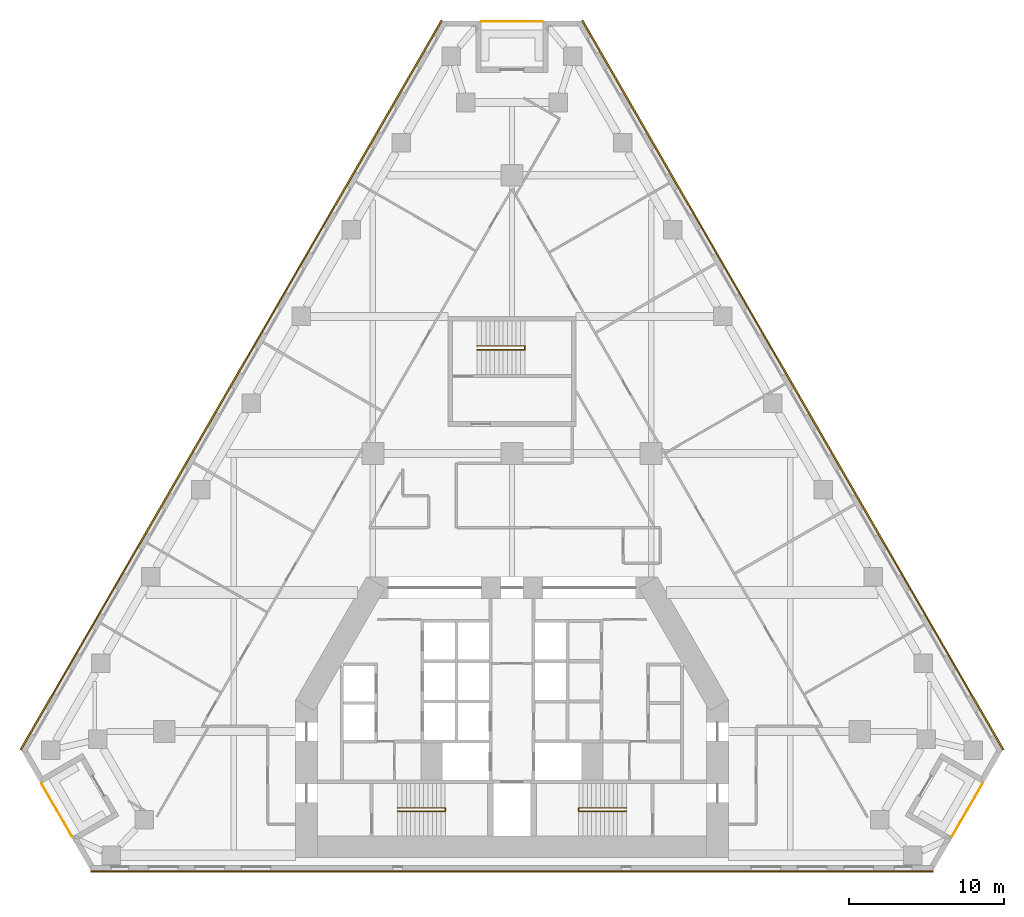
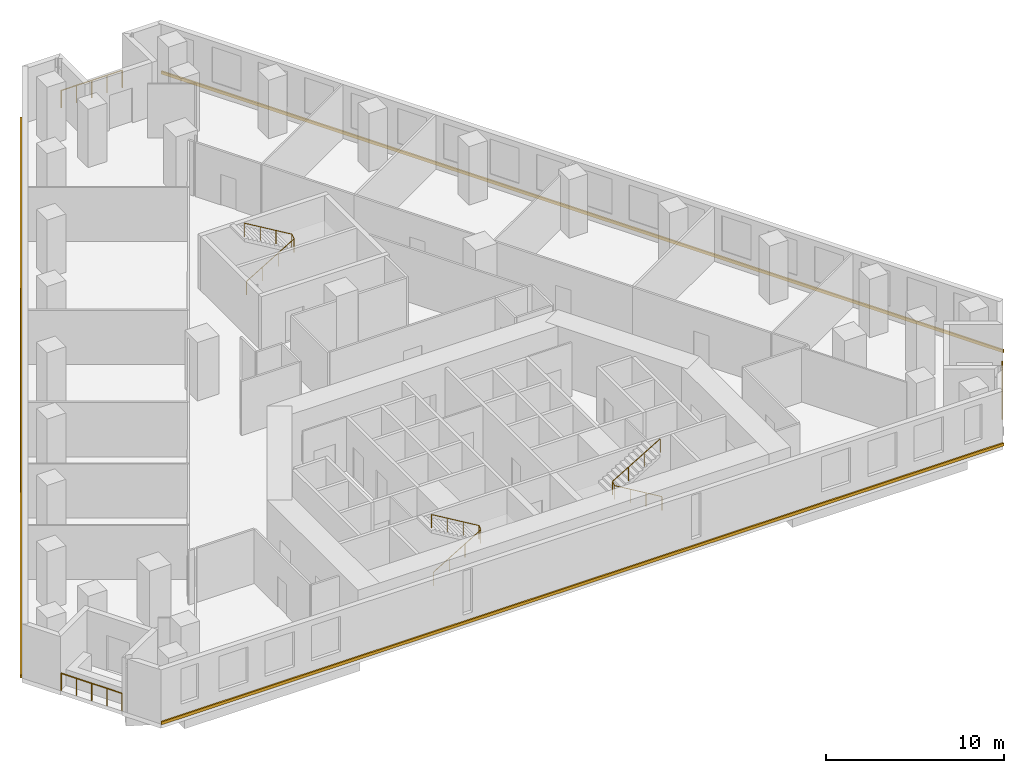
# One storey, part 11 of 11: 6 railings, 3 coverings.
"""IFC4 building model written with IfcOpenShell, lengths in metres."""

from ifc_helpers import new_model, si_unit, direction, frame, origin, origin_2d, place, context, subcontext, project, spatial, polyline, circle, outline, extrude, material, type_object, element, save


model = new_model("IFC4")

# Units and contexts
model_context = context("Model", 3, precision=1e-05, world=origin(), true_north=direction((0.0, 1.0)))
body_context = subcontext(model_context, "Body", "Model", "MODEL_VIEW")
ifc_project = project(units=[si_unit("LENGTHUNIT", "METRE"), si_unit("AREAUNIT", "SQUARE_METRE"), si_unit("VOLUMEUNIT", "CUBIC_METRE"), si_unit("PLANEANGLEUNIT", "RADIAN"), si_unit("MASSUNIT", "GRAM", prefix="KILO")], contexts=[model_context])

# Site, building, storey
site_placement = place(None, origin())
site = spatial("IfcSite", under=ifc_project, at=site_placement, CompositionType="ELEMENT")
building_placement = place(site_placement, origin())
building = spatial("IfcBuilding", under=site, at=building_placement, Name="Fogline Exchange Tower", CompositionType="ELEMENT")
storey_placement = place(building_placement, frame((0.0, 0.0, 52.89990234375)))
storey = spatial("IfcBuildingStorey", under=building, at=storey_placement, Name="L10", CompositionType="ELEMENT", Elevation=52.89990234375)

# Railings
ifc_material_1 = material(Name="Stainless steel 304", Category="steel")
railing_type_1 = type_object("IfcRailingType", Name="G1", PredefinedType="GUARDRAIL", material=ifc_material_1)
railing_1_placement = place(storey_placement, frame((-30.451416015625, 5.635986328125, 0.0)))
element("IfcRailing", 1, at=railing_1_placement, inside=storey, type_object=railing_type_1, Name="Balcony guard L10 SW", PredefinedType="GUARDRAIL", context=body_context, shape_type="SweptSolid", body=[
    extrude(circle(Radius=0.02392578125, at=origin_2d()), frame((0.0, 0.0, 1.17578125), z_axis=(0.500000102728, -0.866025344474, 0.0), x_axis=(0.866025344474, 0.500000102728, 0.0)), (0.0, 0.0, 1.0), 3.9580078125),
    extrude(circle(Radius=0.02099609375, at=origin_2d()), origin(), (0.0, 0.0, 1.0), 1.15185546875),
    extrude(circle(Radius=0.02099609375, at=origin_2d()), frame((0.49462890625, -0.85693359375, 0.0)), (0.0, 0.0, 1.0), 1.15185546875),
    extrude(circle(Radius=0.02099609375, at=origin_2d()), frame((0.989501953125, -1.7138671875, 0.0)), (0.0, 0.0, 1.0), 1.15185546875),
    extrude(circle(Radius=0.02099609375, at=origin_2d()), frame((1.484375, -2.57080078125, 0.0)), (0.0, 0.0, 1.0), 1.15185546875),
    extrude(circle(Radius=0.02099609375, at=origin_2d()), frame((1.97900390625, -3.427734375, 0.0)), (0.0, 0.0, 1.0), 1.15185546875),
])
railing_2_placement = place(storey_placement, frame((28.472412109375, 2.208251953125, 0.0)))
element("IfcRailing", 2, at=railing_2_placement, inside=storey, type_object=railing_type_1, Name="Balcony guard L10 SE", PredefinedType="GUARDRAIL", context=body_context, shape_type="SweptSolid", body=[
    extrude(circle(Radius=0.02392578125, at=origin_2d()), frame((0.0, 0.0, 1.17578125), z_axis=(0.500000102728, 0.866025344474, 0.0), x_axis=(-0.866025344474, 0.500000102728, 0.0)), (0.0, 0.0, 1.0), 3.9580078125),
    extrude(circle(Radius=0.02099609375, at=origin_2d()), origin(), (0.0, 0.0, 1.0), 1.15185546875),
    extrude(circle(Radius=0.02099609375, at=origin_2d()), frame((0.49462890625, 0.85693359375, 0.0)), (0.0, 0.0, 1.0), 1.15185546875),
    extrude(circle(Radius=0.02099609375, at=origin_2d()), frame((0.989501953125, 1.7138671875, 0.0)), (0.0, 0.0, 1.0), 1.15185546875),
    extrude(circle(Radius=0.02099609375, at=origin_2d()), frame((1.484375, 2.57080078125, 0.0)), (0.0, 0.0, 1.0), 1.15185546875),
    extrude(circle(Radius=0.02099609375, at=origin_2d()), frame((1.97900390625, 3.427734375, 0.0)), (0.0, 0.0, 1.0), 1.15185546875),
])
railing_3_placement = place(storey_placement, frame((1.97900390625, 54.95166015625, 0.0)))
element("IfcRailing", 3, at=railing_3_placement, inside=storey, type_object=railing_type_1, Name="Balcony guard L10 N", PredefinedType="GUARDRAIL", context=body_context, shape_type="SweptSolid", body=[
    extrude(circle(Radius=0.02392578125, at=origin_2d()), frame((0.0, 0.0, 1.17578125), z_axis=(-1.0, 0.0, 0.0), x_axis=(0.0, -1.0, 0.0)), (0.0, 0.0, 1.0), 3.9580078125),
    extrude(circle(Radius=0.02099609375, at=origin_2d()), origin(), (0.0, 0.0, 1.0), 1.15185546875),
    extrude(circle(Radius=0.02099609375, at=origin_2d()), frame((-0.989501953125, 0.0, 0.0)), (0.0, 0.0, 1.0), 1.15185546875),
    extrude(circle(Radius=0.02099609375, at=origin_2d()), frame((-1.97900390625, 0.0, 0.0)), (0.0, 0.0, 1.0), 1.15185546875),
    extrude(circle(Radius=0.02099609375, at=origin_2d()), frame((-2.968505859375, 0.0, 0.0)), (0.0, 0.0, 1.0), 1.15185546875),
    extrude(circle(Radius=0.02099609375, at=origin_2d()), frame((-3.9580078125, 0.0, 0.0)), (0.0, 0.0, 1.0), 1.15185546875),
])
ifc_material_2 = material(Name="Steel Q235B", Category="steel")
railing_type_2 = type_object("IfcRailingType", Name="RL-HR", PredefinedType="HANDRAIL", material=ifc_material_2)
railing_4_placement = place(storey_placement, frame((-7.39990234375, 3.85009765625, 0.166748046875)))
element("IfcRailing", 4, at=railing_4_placement, inside=storey, type_object=railing_type_2, Name="Handrail ST1", PredefinedType="HANDRAIL", context=body_context, shape_type="SweptSolid", body=[
    extrude(circle(Radius=0.02392578125, at=origin_2d()), frame((0.0, 0.0, 0.92578125), z_axis=(0.859290745958, 0.0, 0.51148745235), x_axis=(0.0, 1.0, 0.0)), (0.0, 0.0, 1.0), 3.584228515625),
    extrude(circle(Radius=0.02392578125, at=origin_2d()), frame((3.079833984375, 0.0, 2.75927734375), z_axis=(0.0, 0.767990643491, 0.640461061666), x_axis=(-1.0, 0.0, 0.0)), (0.0, 0.0, 1.0), 0.26025390625),
    extrude(circle(Radius=0.02392578125, at=origin_2d()), frame((3.079833984375, 0.199951171875, 2.92578125), z_axis=(-0.859290745958, 0.0, 0.51148745235), x_axis=(0.0, -1.0, 0.0)), (0.0, 0.0, 1.0), 3.584228515625),
    extrude(circle(Radius=0.02099609375, at=origin_2d()), origin(), (0.0, 0.0, 1.0), 0.90185546875),
    extrude(circle(Radius=0.02099609375, at=origin_2d()), frame((1.026611328125, 0.0, 0.611083984375)), (0.0, 0.0, 1.0), 0.90185546875),
    extrude(circle(Radius=0.02099609375, at=origin_2d()), frame((2.05322265625, 0.0, 1.22216796875)), (0.0, 0.0, 1.0), 0.90185546875),
    extrude(circle(Radius=0.02099609375, at=origin_2d()), frame((3.079833984375, 0.0, 1.833251953125)), (0.0, 0.0, 1.0), 0.90185546875),
    extrude(circle(Radius=0.02099609375, at=origin_2d()), frame((3.079833984375, 0.199951171875, 2.0)), (0.0, 0.0, 1.0), 0.90185546875),
    extrude(circle(Radius=0.02099609375, at=origin_2d()), frame((2.05322265625, 0.199951171875, 2.611083984375)), (0.0, 0.0, 1.0), 0.90185546875),
    extrude(circle(Radius=0.02099609375, at=origin_2d()), frame((1.026611328125, 0.199951171875, 3.22216796875)), (0.0, 0.0, 1.0), 0.90185546875),
    extrude(circle(Radius=0.02099609375, at=origin_2d()), frame((0.0, 0.199951171875, 3.833251953125)), (0.0, 0.0, 1.0), 0.90185546875),
])
railing_5_placement = place(storey_placement, frame((7.39990234375, 3.85009765625, 0.166748046875)))
element("IfcRailing", 5, at=railing_5_placement, inside=storey, type_object=railing_type_2, Name="Handrail ST2", PredefinedType="HANDRAIL", context=body_context, shape_type="SweptSolid", body=[
    extrude(circle(Radius=0.02392578125, at=origin_2d()), frame((0.0, 0.0, 0.92578125), z_axis=(-0.859290745958, 0.0, 0.51148745235), x_axis=(0.0, -1.0, 0.0)), (0.0, 0.0, 1.0), 3.584228515625),
    extrude(circle(Radius=0.02392578125, at=origin_2d()), frame((-3.079833984375, 0.0, 2.75927734375), z_axis=(0.0, 0.767990643491, 0.640461061666), x_axis=(-1.0, 0.0, 0.0)), (0.0, 0.0, 1.0), 0.26025390625),
    extrude(circle(Radius=0.02392578125, at=origin_2d()), frame((-3.079833984375, 0.199951171875, 2.92578125), z_axis=(0.859290745958, 0.0, 0.51148745235), x_axis=(0.0, 1.0, 0.0)), (0.0, 0.0, 1.0), 3.584228515625),
    extrude(circle(Radius=0.02099609375, at=origin_2d()), origin(), (0.0, 0.0, 1.0), 0.90185546875),
    extrude(circle(Radius=0.02099609375, at=origin_2d()), frame((-1.026611328125, 0.0, 0.611083984375)), (0.0, 0.0, 1.0), 0.90185546875),
    extrude(circle(Radius=0.02099609375, at=origin_2d()), frame((-2.05322265625, 0.0, 1.22216796875)), (0.0, 0.0, 1.0), 0.90185546875),
    extrude(circle(Radius=0.02099609375, at=origin_2d()), frame((-3.079833984375, 0.0, 1.833251953125)), (0.0, 0.0, 1.0), 0.90185546875),
    extrude(circle(Radius=0.02099609375, at=origin_2d()), frame((-3.079833984375, 0.199951171875, 2.0)), (0.0, 0.0, 1.0), 0.90185546875),
    extrude(circle(Radius=0.02099609375, at=origin_2d()), frame((-2.05322265625, 0.199951171875, 2.611083984375)), (0.0, 0.0, 1.0), 0.90185546875),
    extrude(circle(Radius=0.02099609375, at=origin_2d()), frame((-1.026611328125, 0.199951171875, 3.22216796875)), (0.0, 0.0, 1.0), 0.90185546875),
    extrude(circle(Radius=0.02099609375, at=origin_2d()), frame((0.0, 0.199951171875, 3.833251953125)), (0.0, 0.0, 1.0), 0.90185546875),
])
railing_6_placement = place(storey_placement, frame((-2.25, 33.70703125, 0.166748046875)))
element("IfcRailing", 6, at=railing_6_placement, inside=storey, type_object=railing_type_2, Name="Handrail ST3", PredefinedType="HANDRAIL", context=body_context, shape_type="SweptSolid", body=[
    extrude(circle(Radius=0.02392578125, at=origin_2d()), frame((0.0, 0.0, 0.92578125), z_axis=(0.859308565015, 0.0, 0.511457515432), x_axis=(0.0, 1.0, 0.0)), (0.0, 0.0, 1.0), 3.58447265625),
    extrude(circle(Radius=0.02392578125, at=origin_2d()), frame((3.080078125, 0.0, 2.75927734375), z_axis=(0.0, 0.831925284441, 0.554887665306), x_axis=(-1.0, 0.0, 0.0)), (0.0, 0.0, 1.0), 0.300537109375),
    extrude(circle(Radius=0.02392578125, at=origin_2d()), frame((3.080078125, 0.25, 2.92578125), z_axis=(-0.859308565015, 0.0, 0.511457515432), x_axis=(0.0, -1.0, 0.0)), (0.0, 0.0, 1.0), 3.58447265625),
    extrude(circle(Radius=0.02099609375, at=origin_2d()), origin(), (0.0, 0.0, 1.0), 0.90185546875),
    extrude(circle(Radius=0.02099609375, at=origin_2d()), frame((1.026611328125, 0.0, 0.611083984375)), (0.0, 0.0, 1.0), 0.90185546875),
    extrude(circle(Radius=0.02099609375, at=origin_2d()), frame((2.053466796875, 0.0, 1.22216796875)), (0.0, 0.0, 1.0), 0.90185546875),
    extrude(circle(Radius=0.02099609375, at=origin_2d()), frame((3.080078125, 0.0, 1.833251953125)), (0.0, 0.0, 1.0), 0.90185546875),
    extrude(circle(Radius=0.02099609375, at=origin_2d()), frame((3.080078125, 0.25, 2.0)), (0.0, 0.0, 1.0), 0.90185546875),
    extrude(circle(Radius=0.02099609375, at=origin_2d()), frame((2.053466796875, 0.25, 2.611083984375)), (0.0, 0.0, 1.0), 0.90185546875),
    extrude(circle(Radius=0.02099609375, at=origin_2d()), frame((1.026611328125, 0.25, 3.22216796875)), (0.0, 0.0, 1.0), 0.90185546875),
    extrude(circle(Radius=0.02099609375, at=origin_2d()), frame((0.0, 0.25, 3.833251953125)), (0.0, 0.0, 1.0), 0.90185546875),
])

# Coverings
ifc_material_3 = material(Name="Brick masonry", Category="masonry")
covering_type = type_object("IfcCoveringType", Name="SB1", PredefinedType="CLADDING", material=ifc_material_3)
covering_1_placement = place(storey_placement, origin())
element("IfcCovering", 7, at=covering_1_placement, inside=storey, type_object=covering_type, Name="Stringcourse band L10 S", PredefinedType="CLADDING", context=body_context, shape_type="SweptSolid", body=[
    extrude(outline(polyline([(-27.255126953125, 0.0), (-27.255126953125, -0.10009765625), (27.255126953125, -0.10009765625), (27.255126953125, 0.0), (-27.255126953125, 0.0)])), origin(), (0.0, 0.0, 1.0), 0.2001953125),
])
covering_2_placement = place(storey_placement, origin())
element("IfcCovering", 8, at=covering_2_placement, inside=storey, type_object=covering_type, Name="Stringcourse band L10 E", PredefinedType="CLADDING", context=body_context, shape_type="SweptSolid", body=[
    extrude(outline(polyline([(31.755126953125, 7.794189453125), (31.841796875, 7.84423828125), (4.586669921875, 55.0517578125), (4.5, 55.001708984375), (31.755126953125, 7.794189453125)])), origin(), (0.0, 0.0, 1.0), 0.2001953125),
])
covering_3_placement = place(storey_placement, origin())
element("IfcCovering", 9, at=covering_3_placement, inside=storey, type_object=covering_type, Name="Stringcourse band L10 W", PredefinedType="CLADDING", context=body_context, shape_type="SweptSolid", body=[
    extrude(outline(polyline([(-4.5, 55.001708984375), (-4.586669921875, 55.0517578125), (-31.841796875, 7.84423828125), (-31.755126953125, 7.794189453125), (-4.5, 55.001708984375)])), origin(), (0.0, 0.0, 1.0), 0.2001953125),
])

save(model, "model.ifc")
